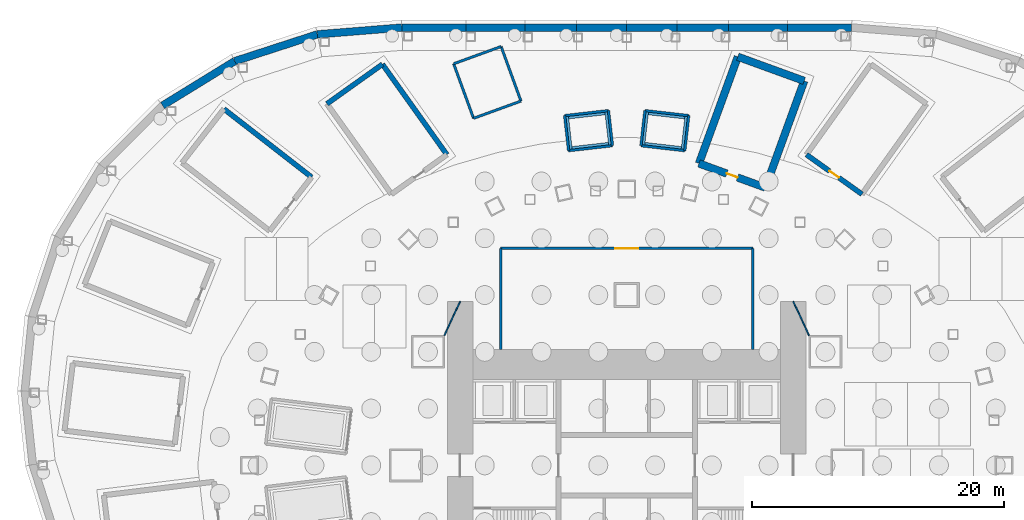
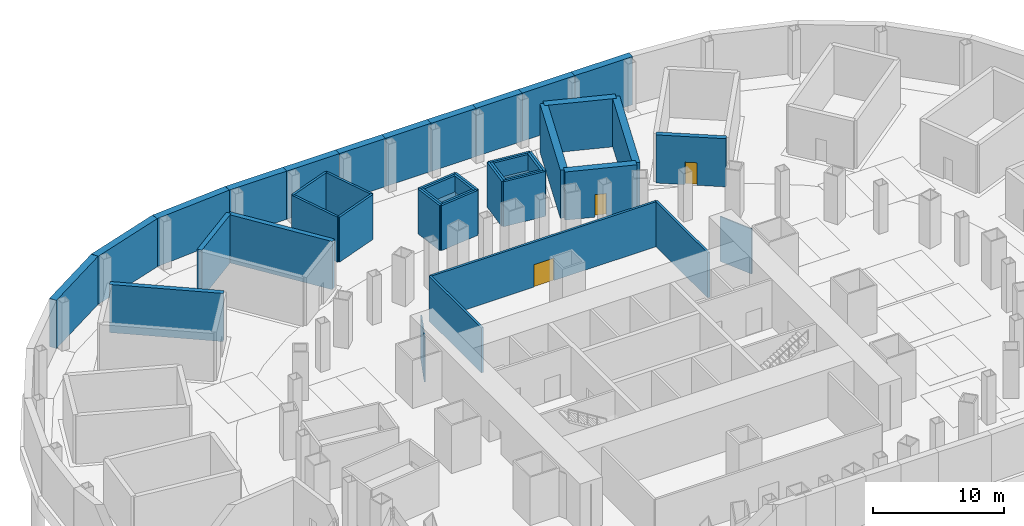
# One storey, part 6 of 11: 44 walls, 3 doors, 3 openings.
"""IFC4 building model written with IfcOpenShell, lengths in metres."""

from ifc_helpers import new_model, si_unit, direction, frame, frame_2d, origin, place, context, subcontext, project, spatial, rectangle, extrude, material, layer, layer_set, type_object, element, fill, save


model = new_model("IFC4")

# Units and contexts
model_context = context("Model", 3, precision=1e-05, world=origin(), true_north=direction((0.0, 1.0)))
body_context = subcontext(model_context, "Body", "Model", "MODEL_VIEW")
ifc_project = project(units=[si_unit("LENGTHUNIT", "METRE"), si_unit("AREAUNIT", "SQUARE_METRE"), si_unit("VOLUMEUNIT", "CUBIC_METRE"), si_unit("PLANEANGLEUNIT", "RADIAN"), si_unit("MASSUNIT", "GRAM", prefix="KILO")], contexts=[model_context])

# Site, building, storey
site_placement = place(None, origin())
site = spatial("IfcSite", under=ifc_project, at=site_placement, CompositionType="ELEMENT")
building_placement = place(site_placement, origin())
building = spatial("IfcBuilding", under=site, at=building_placement, Name="Lantaw Convention Tower", CompositionType="ELEMENT")
storey_placement = place(building_placement, frame((0.0, 0.0, -10.0)))
storey = spatial("IfcBuildingStorey", under=building, at=storey_placement, Name="B2", CompositionType="ELEMENT", Elevation=-10.0)

# Walls
ifc_material_1 = material(Name="Concrete C40/50", Category="concrete")
ifc_layer_1 = layer(ifc_material_1, 0.60009765625)
ifc_layer_set_1 = layer_set([ifc_layer_1], Name="Basement wall 600")
wall_type_1 = type_object("IfcWallType", Name="Basement wall 600", PredefinedType="SOLIDWALL", material=ifc_layer_set_1)
wall_1_placement = place(storey_placement, frame((17.8212890625, 34.699951171875, 0.0), z_axis=(0.0, 0.0, 1.0), x_axis=(-1.0, 0.0, 0.0)))
element("IfcWall", 1, at=wall_1_placement, inside=storey, type_object=wall_type_1, Name="Basement retaining wall 9", PredefinedType="SOLIDWALL", context=body_context, shape_type="SweptSolid", body=[
    extrude(rectangle(XDim=5.082275390625, YDim=0.60009765625, at=frame_2d((2.541015625, 0.0))), origin(), (0.0, 0.0, 1.0), 4.5),
])
wall_2_placement = place(storey_placement, frame((12.739013671875, 34.699951171875, 0.0), z_axis=(0.0, 0.0, 1.0), x_axis=(-1.0, 0.0, 0.0)))
element("IfcWall", 2, at=wall_2_placement, inside=storey, type_object=wall_type_1, Name="Basement retaining wall 10", PredefinedType="SOLIDWALL", context=body_context, shape_type="SweptSolid", body=[
    extrude(rectangle(XDim=4.65869140625, YDim=0.60009765625, at=frame_2d((2.329345703125, 0.0))), origin(), (0.0, 0.0, 1.0), 4.5),
])
wall_3_placement = place(storey_placement, frame((8.080322265625, 34.699951171875, 0.0), z_axis=(0.0, 0.0, 1.0), x_axis=(-1.0, 0.0, 0.0)))
element("IfcWall", 3, at=wall_3_placement, inside=storey, type_object=wall_type_1, Name="Basement retaining wall 11", PredefinedType="SOLIDWALL", context=body_context, shape_type="SweptSolid", body=[
    extrude(rectangle(XDim=4.092529296875, YDim=0.60009765625, at=frame_2d((2.04638671875, 0.0))), origin(), (0.0, 0.0, 1.0), 4.5),
])
for number, where, z_axis, x_axis, name in (
    (4, (3.98779296875, 34.699951171875, 0.0), (0.0, 0.0, 1.0), (-1.0, 0.0, 0.0), "Basement retaining wall 12"),
    (5, (0.0, 34.699951171875, 0.0), (0.0, 0.0, 1.0), (-1.0, 0.0, 0.0), "Basement retaining wall 13"),
):
    element("IfcWall", number, at=place(storey_placement, frame(where, z_axis=z_axis, x_axis=x_axis)), inside=storey, type_object=wall_type_1, Name=name, PredefinedType="SOLIDWALL", context=body_context, shape_type="SweptSolid", body=[
        extrude(rectangle(XDim=3.98779296875, YDim=0.60009765625, at=frame_2d((1.993896484375, 0.0))), origin(), (0.0, 0.0, 1.0), 4.5),
    ])
wall_4_placement = place(storey_placement, frame((-3.98779296875, 34.699951171875, 0.0), z_axis=(0.0, 0.0, 1.0), x_axis=(-1.0, 0.0, 0.0)))
element("IfcWall", 6, at=wall_4_placement, inside=storey, type_object=wall_type_1, Name="Basement retaining wall 14", PredefinedType="SOLIDWALL", context=body_context, shape_type="SweptSolid", body=[
    extrude(rectangle(XDim=4.092529296875, YDim=0.60009765625, at=frame_2d((2.04638671875, 0.0))), origin(), (0.0, 0.0, 1.0), 4.5),
])
wall_5_placement = place(storey_placement, frame((-8.080322265625, 34.699951171875, 0.0), z_axis=(0.0, 0.0, 1.0), x_axis=(-1.0, 0.0, 0.0)))
element("IfcWall", 7, at=wall_5_placement, inside=storey, type_object=wall_type_1, Name="Basement retaining wall 15", PredefinedType="SOLIDWALL", context=body_context, shape_type="SweptSolid", body=[
    extrude(rectangle(XDim=4.65869140625, YDim=0.60009765625, at=frame_2d((2.329345703125, 0.0))), origin(), (0.0, 0.0, 1.0), 4.5),
])
wall_6_placement = place(storey_placement, frame((-12.739013671875, 34.699951171875, 0.0), z_axis=(0.0, 0.0, 1.0), x_axis=(-1.0, 0.0, 0.0)))
element("IfcWall", 8, at=wall_6_placement, inside=storey, type_object=wall_type_1, Name="Basement retaining wall 16", PredefinedType="SOLIDWALL", context=body_context, shape_type="SweptSolid", body=[
    extrude(rectangle(XDim=5.082275390625, YDim=0.60009765625, at=frame_2d((2.541015625, 0.0))), origin(), (0.0, 0.0, 1.0), 4.5),
])
wall_7_placement = place(storey_placement, frame((-17.8212890625, 34.699951171875, 0.0), z_axis=(0.0, 0.0, 1.0), x_axis=(-0.996792017292, -0.080035456285, 0.0)))
element("IfcWall", 9, at=wall_7_placement, inside=storey, type_object=wall_type_1, Name="Basement retaining wall 17", PredefinedType="SOLIDWALL", context=body_context, shape_type="SweptSolid", body=[
    extrude(rectangle(XDim=6.719970703125, YDim=0.60009765625, at=frame_2d((3.35986328125, 0.0))), origin(), (0.0, 0.0, 1.0), 4.5),
])
wall_8_placement = place(storey_placement, frame((-24.519775390625, 34.162109375, 0.0), z_axis=(0.0, 0.0, 1.0), x_axis=(-0.951130883604, -0.308788021554, 0.0)))
element("IfcWall", 10, at=wall_8_placement, inside=storey, type_object=wall_type_1, Name="Basement retaining wall 18", PredefinedType="SOLIDWALL", context=body_context, shape_type="SweptSolid", body=[
    extrude(rectangle(XDim=6.890380859375, YDim=0.60009765625, at=frame_2d((3.4453125, 0.0))), origin(), (0.0, 0.0, 1.0), 4.5),
])
wall_9_placement = place(storey_placement, frame((-31.073486328125, 32.034423828125, 0.0), z_axis=(0.0, 0.0, 1.0), x_axis=(-0.851796965753, -0.523872054165, 0.0)))
element("IfcWall", 11, at=wall_9_placement, inside=storey, type_object=wall_type_1, Name="Basement retaining wall 19", PredefinedType="SOLIDWALL", context=body_context, shape_type="SweptSolid", body=[
    extrude(rectangle(XDim=6.70947265625, YDim=0.60009765625, at=frame_2d((3.354736328125, 0.0))), origin(), (0.0, 0.0, 1.0), 4.5),
])
ifc_layer_2 = layer(ifc_material_1, 0.199951171875)
ifc_layer_set_2 = layer_set([ifc_layer_2], Name="Lift pit wall 200")
wall_type_2 = type_object("IfcWallType", Name="Lift pit wall 200", PredefinedType="SOLIDWALL", material=ifc_layer_set_2)
wall_10_placement = place(storey_placement, frame((4.415283203125, 25.061279296875, 2.699951171875), z_axis=(0.0, 0.0, 1.0), x_axis=(0.113244680008, 0.993567130319, 0.0)))
element("IfcWall", 12, at=wall_10_placement, inside=storey, type_object=wall_type_2, Name="Lift pit wall", PredefinedType="SOLIDWALL", context=body_context, shape_type="SweptSolid", body=[
    extrude(rectangle(XDim=2.60009765625, YDim=0.199951171875, at=frame_2d((1.300048828125, 0.0))), origin(), (0.0, 0.0, 1.0), 1.5),
])
wall_11_placement = place(storey_placement, frame((4.59912109375, 27.556396484375, 2.699951171875), z_axis=(0.0, 0.0, 1.0), x_axis=(-0.993568712079, 0.113230801368, 0.0)))
element("IfcWall", 13, at=wall_11_placement, inside=storey, type_object=wall_type_2, Name="Lift pit wall", PredefinedType="SOLIDWALL", context=body_context, shape_type="SweptSolid", body=[
    extrude(rectangle(XDim=2.89990234375, YDim=0.199951171875, at=frame_2d((1.449951171875, 0.0))), origin(), (0.0, 0.0, 1.0), 1.5),
])
wall_12_placement = place(storey_placement, frame((1.629638671875, 27.995361328125, 2.699951171875), z_axis=(0.0, 0.0, 1.0), x_axis=(-0.113244680008, -0.993567130319, 0.0)))
element("IfcWall", 14, at=wall_12_placement, inside=storey, type_object=wall_type_2, Name="Lift pit wall", PredefinedType="SOLIDWALL", context=body_context, shape_type="SweptSolid", body=[
    extrude(rectangle(XDim=2.60009765625, YDim=0.199951171875, at=frame_2d((1.300048828125, 0.0))), origin(), (0.0, 0.0, 1.0), 1.5),
])
wall_13_placement = place(storey_placement, frame((1.446044921875, 25.500244140625, 2.699951171875), z_axis=(0.0, 0.0, 1.0), x_axis=(0.993568712079, -0.113230801368, 0.0)))
element("IfcWall", 15, at=wall_13_placement, inside=storey, type_object=wall_type_2, Name="Lift pit wall", PredefinedType="SOLIDWALL", context=body_context, shape_type="SweptSolid", body=[
    extrude(rectangle(XDim=2.89990234375, YDim=0.199951171875, at=frame_2d((1.449951171875, 0.0))), origin(), (0.0, 0.0, 1.0), 1.5),
])
wall_14_placement = place(storey_placement, frame((-1.335205078125, 25.412109375, 2.699951171875), z_axis=(0.0, 0.0, 1.0), x_axis=(-0.113244680008, 0.993567130319, 0.0)))
element("IfcWall", 16, at=wall_14_placement, inside=storey, type_object=wall_type_2, Name="Lift pit wall", PredefinedType="SOLIDWALL", context=body_context, shape_type="SweptSolid", body=[
    extrude(rectangle(XDim=2.60009765625, YDim=0.199951171875, at=frame_2d((1.300048828125, 0.0))), origin(), (0.0, 0.0, 1.0), 1.5),
])
wall_15_placement = place(storey_placement, frame((-1.7177734375, 27.884765625, 2.699951171875), z_axis=(0.0, 0.0, 1.0), x_axis=(-0.993568712079, -0.113230801368, 0.0)))
element("IfcWall", 17, at=wall_15_placement, inside=storey, type_object=wall_type_2, Name="Lift pit wall", PredefinedType="SOLIDWALL", context=body_context, shape_type="SweptSolid", body=[
    extrude(rectangle(XDim=2.89990234375, YDim=0.199951171875, at=frame_2d((1.449951171875, 0.0))), origin(), (0.0, 0.0, 1.0), 1.5),
])
wall_16_placement = place(storey_placement, frame((-4.709716796875, 27.64453125, 2.699951171875), z_axis=(0.0, 0.0, 1.0), x_axis=(0.113244680008, -0.993567130319, 0.0)))
element("IfcWall", 18, at=wall_16_placement, inside=storey, type_object=wall_type_2, Name="Lift pit wall", PredefinedType="SOLIDWALL", context=body_context, shape_type="SweptSolid", body=[
    extrude(rectangle(XDim=2.60009765625, YDim=0.199951171875, at=frame_2d((1.300048828125, 0.0))), origin(), (0.0, 0.0, 1.0), 1.5),
])
wall_17_placement = place(storey_placement, frame((-4.327392578125, 25.171875, 2.699951171875), z_axis=(0.0, 0.0, 1.0), x_axis=(0.993568712079, 0.113230801368, 0.0)))
element("IfcWall", 19, at=wall_17_placement, inside=storey, type_object=wall_type_2, Name="Lift pit wall", PredefinedType="SOLIDWALL", context=body_context, shape_type="SweptSolid", body=[
    extrude(rectangle(XDim=2.89990234375, YDim=0.199951171875, at=frame_2d((1.449951171875, 0.0))), origin(), (0.0, 0.0, 1.0), 1.5),
])
ifc_material_2 = material(Name="Concrete blockwork, fire rated", Category="masonry")
ifc_layer_3 = layer(ifc_material_2, 0.199951171875)
ifc_layer_set_3 = layer_set([ifc_layer_3], Name="Lift shaft wall 200 EI 120 load-bearing")
wall_type_3 = type_object("IfcWallType", Name="Lift shaft wall 200 EI 120 load-bearing", PredefinedType="SOLIDWALL", material=ifc_layer_set_3)
wall_18_placement = place(storey_placement, frame((4.602783203125, 24.939208984375, 0.0), z_axis=(0.0, 0.0, 1.0), x_axis=(0.113177712989, 0.993574760792, 0.0)))
element("IfcWall", 20, at=wall_18_placement, inside=storey, type_object=wall_type_3, Name="Lift shaft wall", PredefinedType="SOLIDWALL", context=body_context, shape_type="SweptSolid", body=[
    extrude(rectangle(XDim=2.800048828125, YDim=0.199951171875, at=frame_2d((1.39990234375, 0.0))), origin(), (0.0, 0.0, 1.0), 4.199951171875),
])
wall_19_placement = place(storey_placement, frame((4.919677734375, 27.72119140625, 0.0), z_axis=(0.0, 0.0, 1.0), x_axis=(-0.993571061716, 0.113210182053, 0.0)))
element("IfcWall", 21, at=wall_19_placement, inside=storey, type_object=wall_type_3, Name="Lift shaft wall", PredefinedType="SOLIDWALL", context=body_context, shape_type="SweptSolid", body=[
    extrude(rectangle(XDim=3.5, YDim=0.199951171875, at=frame_2d((1.75, 0.0))), origin(), (0.0, 0.0, 1.0), 4.199951171875),
])
wall_20_placement = place(storey_placement, frame((1.442138671875, 28.117431640625, 0.0), z_axis=(0.0, 0.0, 1.0), x_axis=(-0.113177712989, -0.993574760792, 0.0)))
element("IfcWall", 22, at=wall_20_placement, inside=storey, type_object=wall_type_3, Name="Lift shaft wall", PredefinedType="SOLIDWALL", context=body_context, shape_type="SweptSolid", body=[
    extrude(rectangle(XDim=2.800048828125, YDim=0.199951171875, at=frame_2d((1.39990234375, 0.0))), origin(), (0.0, 0.0, 1.0), 4.199951171875),
])
wall_21_placement = place(storey_placement, frame((1.125244140625, 25.33544921875, 0.0), z_axis=(0.0, 0.0, 1.0), x_axis=(0.993571061716, -0.113210182053, 0.0)))
element("IfcWall", 23, at=wall_21_placement, inside=storey, type_object=wall_type_3, Name="Lift shaft wall", PredefinedType="SOLIDWALL", context=body_context, shape_type="SweptSolid", body=[
    extrude(rectangle(XDim=3.5, YDim=0.199951171875, at=frame_2d((1.75, 0.0))), origin(), (0.0, 0.0, 1.0), 4.199951171875),
])
wall_22_placement = place(storey_placement, frame((-1.125244140625, 25.33544921875, 0.0), z_axis=(0.0, 0.0, 1.0), x_axis=(-0.113177712989, 0.993574760792, 0.0)))
element("IfcWall", 24, at=wall_22_placement, inside=storey, type_object=wall_type_3, Name="Lift shaft wall", PredefinedType="SOLIDWALL", context=body_context, shape_type="SweptSolid", body=[
    extrude(rectangle(XDim=2.800048828125, YDim=0.199951171875, at=frame_2d((1.39990234375, 0.0))), origin(), (0.0, 0.0, 1.0), 4.199951171875),
])
wall_23_placement = place(storey_placement, frame((-1.442138671875, 28.117431640625, 0.0), z_axis=(0.0, 0.0, 1.0), x_axis=(-0.993571061716, -0.113210182053, 0.0)))
element("IfcWall", 25, at=wall_23_placement, inside=storey, type_object=wall_type_3, Name="Lift shaft wall", PredefinedType="SOLIDWALL", context=body_context, shape_type="SweptSolid", body=[
    extrude(rectangle(XDim=3.5, YDim=0.199951171875, at=frame_2d((1.75, 0.0))), origin(), (0.0, 0.0, 1.0), 4.199951171875),
])
wall_24_placement = place(storey_placement, frame((-4.919677734375, 27.72119140625, 0.0), z_axis=(0.0, 0.0, 1.0), x_axis=(0.113177712989, -0.993574760792, 0.0)))
element("IfcWall", 26, at=wall_24_placement, inside=storey, type_object=wall_type_3, Name="Lift shaft wall", PredefinedType="SOLIDWALL", context=body_context, shape_type="SweptSolid", body=[
    extrude(rectangle(XDim=2.800048828125, YDim=0.199951171875, at=frame_2d((1.39990234375, 0.0))), origin(), (0.0, 0.0, 1.0), 4.199951171875),
])
wall_25_placement = place(storey_placement, frame((-4.602783203125, 24.939208984375, 0.0), z_axis=(0.0, 0.0, 1.0), x_axis=(0.993571061716, 0.113210182053, 0.0)))
element("IfcWall", 27, at=wall_25_placement, inside=storey, type_object=wall_type_3, Name="Lift shaft wall", PredefinedType="SOLIDWALL", context=body_context, shape_type="SweptSolid", body=[
    extrude(rectangle(XDim=3.5, YDim=0.199951171875, at=frame_2d((1.75, 0.0))), origin(), (0.0, 0.0, 1.0), 4.199951171875),
])
wall_26_placement = place(storey_placement, frame((-8.381103515625, 28.874755859375, 0.0), z_axis=(0.0, 0.0, 1.0), x_axis=(-0.342045591466, 0.93968335803, 0.0)))
element("IfcWall", 28, at=wall_26_placement, inside=storey, type_object=wall_type_3, Name="Lift shaft support wall", PredefinedType="SOLIDWALL", context=body_context, shape_type="SweptSolid", body=[
    extrude(rectangle(XDim=4.600341796875, YDim=0.199951171875, at=frame_2d((2.30029296875, 0.0))), origin(), (0.0, 0.0, 1.0), 4.199951171875),
])
wall_27_placement = place(storey_placement, frame((-9.95458984375, 33.197509765625, 0.0), z_axis=(0.0, 0.0, 1.0), x_axis=(-0.939686455819, -0.342037080957, 0.0)))
element("IfcWall", 29, at=wall_27_placement, inside=storey, type_object=wall_type_3, Name="Lift shaft support wall", PredefinedType="SOLIDWALL", context=body_context, shape_type="SweptSolid", body=[
    extrude(rectangle(XDim=4.0, YDim=0.199951171875, at=frame_2d((2.0, 0.0))), origin(), (0.0, 0.0, 1.0), 4.199951171875),
])
wall_28_placement = place(storey_placement, frame((-13.71337890625, 31.829345703125, 0.0), z_axis=(0.0, 0.0, 1.0), x_axis=(0.342062650202, -0.939677148459, 0.0)))
element("IfcWall", 30, at=wall_28_placement, inside=storey, type_object=wall_type_3, Name="Lift shaft support wall", PredefinedType="SOLIDWALL", context=body_context, shape_type="SweptSolid", body=[
    extrude(rectangle(XDim=4.60009765625, YDim=0.199951171875, at=frame_2d((2.300048828125, 0.0))), origin(), (0.0, 0.0, 1.0), 4.199951171875),
])
wall_29_placement = place(storey_placement, frame((-12.139892578125, 27.5068359375, 0.0), z_axis=(0.0, 0.0, 1.0), x_axis=(0.939706071622, 0.341983185197, 0.0)))
element("IfcWall", 31, at=wall_29_placement, inside=storey, type_object=wall_type_3, Name="Lift shaft support wall", PredefinedType="SOLIDWALL", context=body_context, shape_type="SweptSolid", body=[
    extrude(rectangle(XDim=4.0, YDim=0.199951171875, at=frame_2d((2.0, 0.0))), origin(), (0.0, 0.0, 1.0), 4.199951171875),
])
ifc_material_3 = material(Name="Gypsum board on steel studs, acoustic", Category="steel")
ifc_layer_4 = layer(ifc_material_3, 0.10009765625)
ifc_layer_set_4 = layer_set([ifc_layer_4], Name="Office partition 100")
wall_type_4 = type_object("IfcWallType", Name="Office partition 100", PredefinedType="PARTITIONING", material=ifc_layer_set_4)
for number, where, z_axis, x_axis, name in (
    (32, (13.199951171875, 13.0, 0.0), (0.0, 0.0, 1.0), (0.420129824888, -0.907464010437, 0.0), "Office partition 100"),
    (33, (-13.199951171875, 13.0, 0.0), (0.0, 0.0, 1.0), (-0.420129824888, -0.907464010437, 0.0), "Office partition 100"),
):
    element("IfcWall", number, at=place(storey_placement, frame(where, z_axis=z_axis, x_axis=x_axis)), inside=storey, type_object=wall_type_4, Name=name, PredefinedType="PARTITIONING", context=body_context, shape_type="SweptSolid", body=[
        extrude(rectangle(XDim=2.975341796875, YDim=0.10009765625, at=frame_2d((1.48779296875, 0.0))), origin(), (0.0, 0.0, 1.0), 4.199951171875),
    ])

# Wall, opening, door
ifc_layer_5 = layer(ifc_material_2, 0.199951171875)
ifc_layer_set_5 = layer_set([ifc_layer_5], Name="Plant room wall 200 EI 120")
wall_type_5 = type_object("IfcWallType", Name="Plant room wall 200 EI 120", PredefinedType="SOLIDWALL", material=ifc_layer_set_5)
wall_30_placement = place(storey_placement, frame((-10.0, 17.199951171875, 0.0), z_axis=(0.0, 0.0, 1.0), x_axis=(1.0, 0.0, 0.0)))
wall_30 = element("IfcWall", 34, at=wall_30_placement, inside=storey, type_object=wall_type_5, Name="Plant room wall 200", PredefinedType="SOLIDWALL", context=body_context, shape_type="SweptSolid", body=[
    extrude(rectangle(XDim=20.0, YDim=0.199951171875, at=frame_2d((10.0, 0.0))), origin(), (0.0, 0.0, 1.0), 4.199951171875),
])
opening_1_placement = place(wall_30_placement, frame((9.10009765625, 0.0, 0.0)))
opening_1 = element("IfcOpeningElement", 35, at=opening_1_placement, cuts=wall_30, Name="Opening B2.11", PredefinedType="OPENING", context=body_context, shape_type="SweptSolid", body=[
    extrude(rectangle(XDim=1.800048828125, YDim=2.10009765625, at=frame_2d((0.89990234375, 1.050048828125))), frame((0.0, 0.10986328125, 0.0), z_axis=(0.0, -1.0, 0.0), x_axis=(1.0, 0.0, 0.0)), (0.0, 0.0, 1.0), 0.219970703125),
])
ifc_material_4 = material(Name="Steel, fire rated", Category="steel")
door_type_1 = type_object("IfcDoorType", Name="Plant room double door FD90", OperationType="DOUBLE_DOOR_DOUBLE_SWING", PredefinedType="DOOR", material=ifc_material_4)
door_1_placement = place(opening_1_placement, origin())
door_1 = element("IfcDoor", 36, at=door_1_placement, inside=storey, type_object=door_type_1, Name="Fire pump and water tank room door", OperationType="DOUBLE_DOOR_DOUBLE_SWING", OverallHeight=2.10009765625, OverallWidth=1.800048828125, PredefinedType="DOOR", context=body_context, shape_type="SweptSolid", body=[
    extrude(rectangle(XDim=1.800048828125, YDim=2.10009765625, at=frame_2d((0.89990234375, 1.050048828125))), frame((0.0, 0.02490234375, 0.0), z_axis=(0.0, -1.0, 0.0), x_axis=(1.0, 0.0, 0.0)), (0.0, 0.0, 1.0), 0.050048828125),
])
fill(opening_1, door_1)

# Walls
for number, where, z_axis, x_axis, name in (
    (37, (-10.0, 9.199951171875, 0.0), (0.0, 0.0, 1.0), (0.0, 1.0, 0.0), "Plant room wall 200"),
    (38, (10.0, 9.199951171875, 0.0), (0.0, 0.0, 1.0), (0.0, 1.0, 0.0), "Plant room wall 200"),
):
    element("IfcWall", number, at=place(storey_placement, frame(where, z_axis=z_axis, x_axis=x_axis)), inside=storey, type_object=wall_type_5, Name=name, PredefinedType="SOLIDWALL", context=body_context, shape_type="SweptSolid", body=[
        extrude(rectangle(XDim=8.0, YDim=0.199951171875, at=frame_2d((4.0, 0.0))), origin(), (0.0, 0.0, 1.0), 4.199951171875),
    ])

# Wall, opening, door
ifc_material_5 = material(Name="Concrete C40/50, stair core", Category="concrete")
ifc_layer_6 = layer(ifc_material_5, 0.39990234375)
ifc_layer_set_6 = layer_set([ifc_layer_6], Name="Stair core wall 400 EI 120")
wall_type_6 = type_object("IfcWallType", Name="Stair core wall 400 EI 120", PredefinedType="SHEAR", material=ifc_layer_set_6)
wall_31_placement = place(storey_placement, frame((14.2509765625, 24.628662109375, 0.0), z_axis=(0.0, 0.0, 1.0), x_axis=(0.814121252423, -0.580694916762, 0.0)))
wall_31 = element("IfcWall", 39, at=wall_31_placement, inside=storey, type_object=wall_type_6, Name="Stair core wall 400", PredefinedType="SHEAR", context=body_context, shape_type="SweptSolid", body=[
    extrude(rectangle(XDim=5.39990234375, YDim=0.39990234375, at=frame_2d((2.699951171875, 0.0))), origin(), (0.0, 0.0, 1.0), 4.5),
])
opening_2_placement = place(wall_31_placement, frame((2.25, 0.0, 0.0)))
opening_2 = element("IfcOpeningElement", 40, at=opening_2_placement, cuts=wall_31, Name="Opening B2.16", PredefinedType="OPENING", context=body_context, shape_type="SweptSolid", body=[
    extrude(rectangle(XDim=0.89990234375, YDim=2.10009765625, at=frame_2d((0.449951171875, 1.050048828125))), frame((0.0, 0.2099609375, 0.0), z_axis=(0.0, -1.0, 0.0), x_axis=(1.0, 0.0, 0.0)), (0.0, 0.0, 1.0), 0.419921875),
])
door_type_2 = type_object("IfcDoorType", Name="Store door 900 FD60", OperationType="SINGLE_SWING_LEFT", PredefinedType="DOOR", material=ifc_material_4)
door_2_placement = place(opening_2_placement, origin())
door_2 = element("IfcDoor", 41, at=door_2_placement, inside=storey, type_object=door_type_2, Name="Store door", OperationType="SINGLE_SWING_LEFT", OverallHeight=2.10009765625, OverallWidth=0.89990234375, PredefinedType="DOOR", context=body_context, shape_type="SweptSolid", body=[
    extrude(rectangle(XDim=0.89990234375, YDim=2.10009765625, at=frame_2d((0.449951171875, 1.050048828125))), frame((0.0, 0.02490234375, 0.0), z_axis=(0.0, -1.0, 0.0), x_axis=(1.0, 0.0, 0.0)), (0.0, 0.0, 1.0), 0.050048828125),
])
fill(opening_2, door_2)

# Walls
wall_32_placement = place(storey_placement, frame((-14.2509765625, 24.628662109375, 0.0), z_axis=(0.0, 0.0, 1.0), x_axis=(-0.580705313356, 0.814113836659, 0.0)))
element("IfcWall", 42, at=wall_32_placement, inside=storey, type_object=wall_type_6, Name="Stair core wall 400", PredefinedType="SHEAR", context=body_context, shape_type="SweptSolid", body=[
    extrude(rectangle(XDim=8.7998046875, YDim=0.39990234375, at=frame_2d((4.39990234375, 0.0))), origin(), (0.0, 0.0, 1.0), 4.5),
])
wall_33_placement = place(storey_placement, frame((-19.361083984375, 31.792724609375, 0.0), z_axis=(0.0, 0.0, 1.0), x_axis=(-0.814121252423, -0.580694916762, 0.0)))
element("IfcWall", 43, at=wall_33_placement, inside=storey, type_object=wall_type_6, Name="Stair core wall 400", PredefinedType="SHEAR", context=body_context, shape_type="SweptSolid", body=[
    extrude(rectangle(XDim=5.39990234375, YDim=0.39990234375, at=frame_2d((2.699951171875, 0.0))), origin(), (0.0, 0.0, 1.0), 4.5),
])
wall_34_placement = place(storey_placement, frame((-24.9775390625, 22.845703125, 0.0), z_axis=(0.0, 0.0, 1.0), x_axis=(-0.78938060008, 0.613904119726, 0.0)))
element("IfcWall", 44, at=wall_34_placement, inside=storey, type_object=wall_type_6, Name="Stair core wall 400", PredefinedType="SHEAR", context=body_context, shape_type="SweptSolid", body=[
    extrude(rectangle(XDim=8.800048828125, YDim=0.39990234375, at=frame_2d((4.39990234375, 0.0))), origin(), (0.0, 0.0, 1.0), 4.5),
])
ifc_layer_7 = layer(ifc_material_5, 0.60009765625)
ifc_layer_set_7 = layer_set([ifc_layer_7], Name="Stair core wall 600 EI 120")
wall_type_7 = type_object("IfcWallType", Name="Stair core wall 600 EI 120", PredefinedType="SHEAR", material=ifc_layer_set_7)
wall_35_placement = place(storey_placement, frame((10.9921875, 22.01416015625, 0.0), z_axis=(0.0, 0.0, 1.0), x_axis=(0.342013127703, 0.939695174234, 0.0)))
element("IfcWall", 45, at=wall_35_placement, inside=storey, type_object=wall_type_7, Name="Stair core wall 600", PredefinedType="SHEAR", context=body_context, shape_type="SweptSolid", body=[
    extrude(rectangle(XDim=9.0, YDim=0.60009765625, at=frame_2d((4.5, 0.0))), origin(), (0.0, 0.0, 1.0), 4.5),
])
wall_36_placement = place(storey_placement, frame((14.0703125, 30.471435546875, 0.0), z_axis=(0.0, 0.0, 1.0), x_axis=(-0.939692822968, 0.342019587834, 0.0)))
element("IfcWall", 46, at=wall_36_placement, inside=storey, type_object=wall_type_7, Name="Stair core wall 600", PredefinedType="SHEAR", context=body_context, shape_type="SweptSolid", body=[
    extrude(rectangle(XDim=5.599853515625, YDim=0.60009765625, at=frame_2d((2.7998046875, 0.0))), origin(), (0.0, 0.0, 1.0), 4.5),
])
wall_37_placement = place(storey_placement, frame((8.80810546875, 32.38671875, 0.0), z_axis=(0.0, 0.0, 1.0), x_axis=(-0.3420218461, -0.939692001025, 0.0)))
element("IfcWall", 47, at=wall_37_placement, inside=storey, type_object=wall_type_7, Name="Stair core wall 600", PredefinedType="SHEAR", context=body_context, shape_type="SweptSolid", body=[
    extrude(rectangle(XDim=8.999755859375, YDim=0.60009765625, at=frame_2d((4.5, 0.0))), origin(), (0.0, 0.0, 1.0), 4.5),
])

# Wall, opening, door
wall_38_placement = place(storey_placement, frame((5.72998046875, 23.9296875, 0.0), z_axis=(0.0, 0.0, 1.0), x_axis=(0.939678810556, -0.342058084236, 0.0)))
wall_38 = element("IfcWall", 48, at=wall_38_placement, inside=storey, type_object=wall_type_7, Name="Stair core wall 600", PredefinedType="SHEAR", context=body_context, shape_type="SweptSolid", body=[
    extrude(rectangle(XDim=5.60009765625, YDim=0.60009765625, at=frame_2d((2.800048828125, 0.0))), origin(), (0.0, 0.0, 1.0), 4.5),
])
opening_3_placement = place(wall_38_placement, frame((2.35009765625, 0.0, 0.0)))
opening_3 = element("IfcOpeningElement", 49, at=opening_3_placement, cuts=wall_38, Name="Opening B2.17", PredefinedType="OPENING", context=body_context, shape_type="SweptSolid", body=[
    extrude(rectangle(XDim=0.89990234375, YDim=2.10009765625, at=frame_2d((0.449951171875, 1.050048828125))), frame((0.0, 0.31005859375, 0.0), z_axis=(0.0, -1.0, 0.0), x_axis=(1.0, 0.0, 0.0)), (0.0, 0.0, 1.0), 0.6201171875),
])
door_3_placement = place(opening_3_placement, origin())
door_3 = element("IfcDoor", 50, at=door_3_placement, inside=storey, type_object=door_type_2, Name="Store door", OperationType="SINGLE_SWING_LEFT", OverallHeight=2.10009765625, OverallWidth=0.89990234375, PredefinedType="DOOR", context=body_context, shape_type="SweptSolid", body=[
    extrude(rectangle(XDim=0.89990234375, YDim=2.10009765625, at=frame_2d((0.449951171875, 1.050048828125))), frame((0.0, 0.02490234375, 0.0), z_axis=(0.0, -1.0, 0.0), x_axis=(1.0, 0.0, 0.0)), (0.0, 0.0, 1.0), 0.050048828125),
])
fill(opening_3, door_3)

save(model, "model.ifc")
